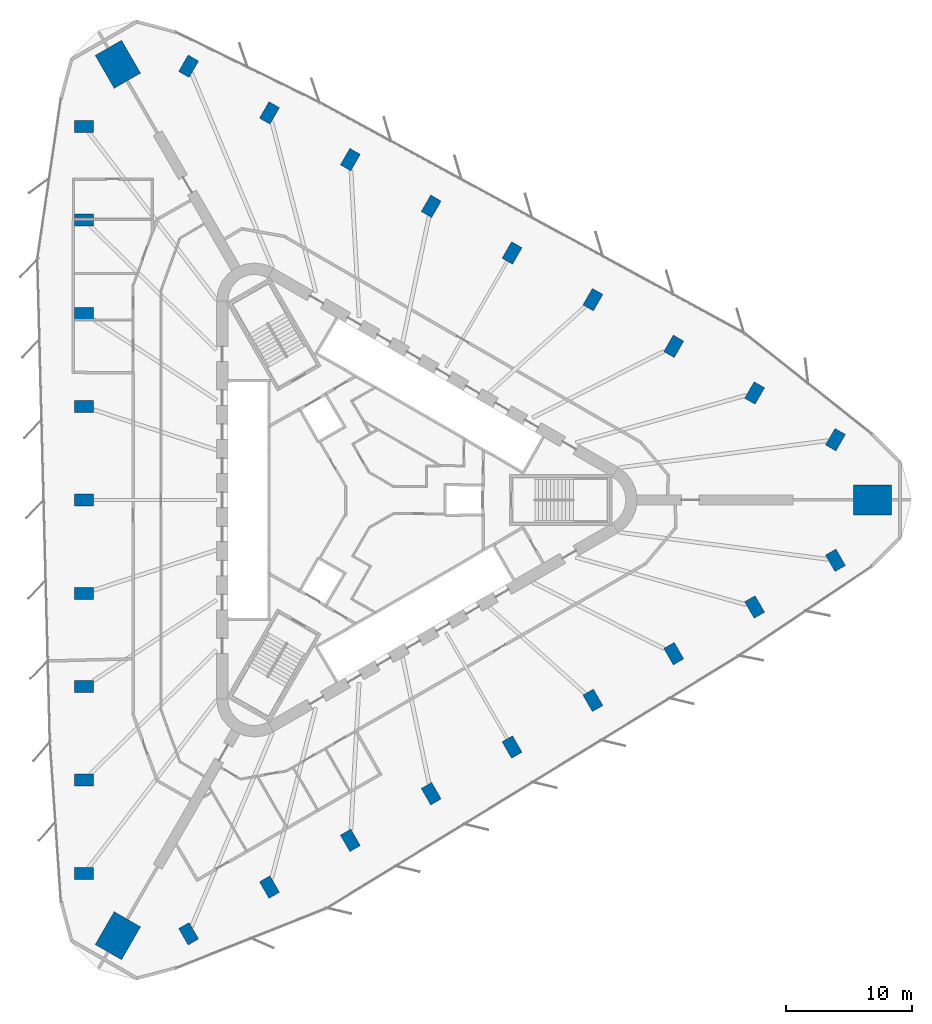
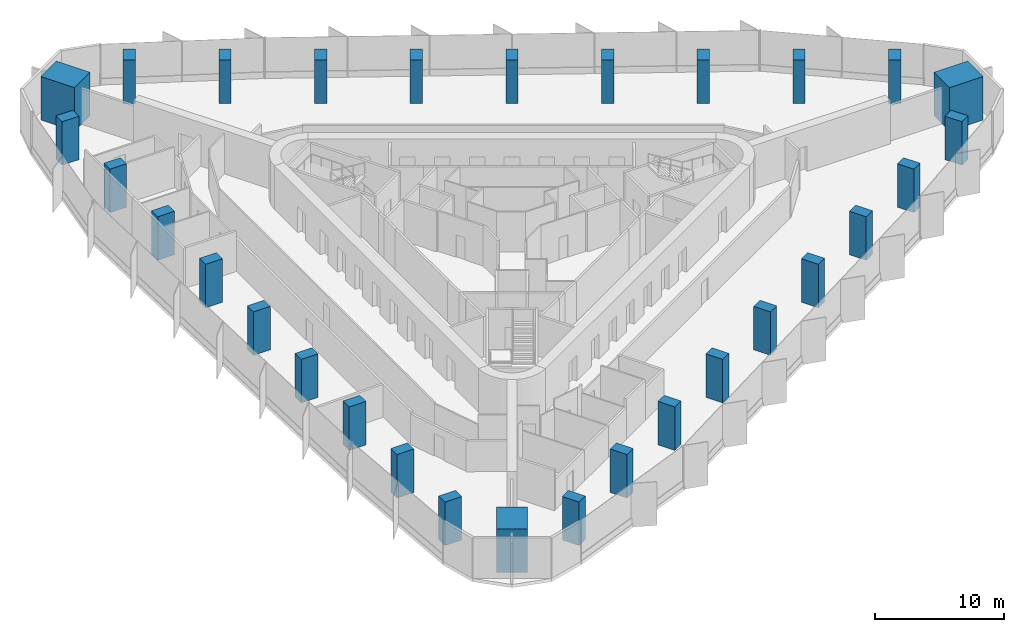
# One storey, part 1 of 14: 30 columns.
"""IFC4 building model written with IfcOpenShell, lengths in metres."""

from ifc_helpers import new_model, si_unit, direction, frame, origin, origin_2d, place, context, subcontext, project, spatial, rectangle, extrude, material, material_profile, profile_set, type_object, element, save


model = new_model("IFC4")

# Units and contexts
model_context = context("Model", 3, precision=1e-05, world=origin(), true_north=direction((0.0, 1.0)))
body_context = subcontext(model_context, "Body", "Model", "MODEL_VIEW")
ifc_project = project(units=[si_unit("LENGTHUNIT", "METRE"), si_unit("AREAUNIT", "SQUARE_METRE"), si_unit("VOLUMEUNIT", "CUBIC_METRE"), si_unit("PLANEANGLEUNIT", "RADIAN"), si_unit("MASSUNIT", "GRAM", prefix="KILO")], contexts=[model_context])

# Site, building, storey
site_placement = place(None, origin())
site = spatial("IfcSite", under=ifc_project, at=site_placement, CompositionType="ELEMENT")
building_placement = place(site_placement, origin())
building = spatial("IfcBuilding", under=site, at=building_placement, Name="Tanit Gate Tower", CompositionType="ELEMENT")
storey_placement = place(building_placement, frame((0.0, 0.0, 148.0)))
storey = spatial("IfcBuildingStorey", under=building, at=storey_placement, Name="L32", CompositionType="ELEMENT", Elevation=148.0)

# Columns
ifc_material_1 = material(Name="Concrete C70/85", Category="concrete")
ifc_material_profile_1 = material_profile(ifc_material_1, rectangle(XDim=3.0, YDim=2.39990234375, at=origin_2d()), Name="RC 3000x2400")
ifc_profile_set_1 = profile_set([ifc_material_profile_1], Name="Concrete C70/85")
column_type_1 = type_object("IfcColumnType", Name="MEGA COLUMN 3000x2400 C70/85", PredefinedType="COLUMN", material=ifc_profile_set_1)
for number, where, z_axis, x_axis, name in (
    (1, (39.830078125, 0.0, 0.0), (0.0, 0.0, 1.0), (1.0, 0.0, 0.0), "MEGA COLUMN"),
    (2, (-19.9150390625, 34.493896484375, 0.0), (0.0, 0.0, 1.0), (-0.5, 0.866025403784, 0.0), "MEGA COLUMN"),
    (3, (-19.9150390625, -34.493896484375, 0.0), (0.0, 0.0, 1.0), (-0.5, -0.866025403784, 0.0), "MEGA COLUMN"),
):
    element("IfcColumn", number, at=place(storey_placement, frame(where, z_axis=z_axis, x_axis=x_axis)), inside=storey, type_object=column_type_1, Name=name, PredefinedType="COLUMN", context=body_context, shape_type="SweptSolid", body=[
        extrude(rectangle(XDim=3.0, YDim=2.39990234375, at=origin_2d()), origin(), (0.0, 0.0, 1.0), 4.10009765625),
    ])
ifc_material_2 = material(Name="Concrete C60/75", Category="concrete")
ifc_material_profile_2 = material_profile(ifc_material_2, rectangle(XDim=1.5, YDim=0.949951171875, at=origin_2d()), Name="RC 1500x950")
ifc_profile_set_2 = profile_set([ifc_material_profile_2], Name="Concrete C60/75")
column_type_2 = type_object("IfcColumnType", Name="PERIMETER COLUMN 1500x950 C60/75", PredefinedType="COLUMN", material=ifc_profile_set_2)
for number, where, z_axis, x_axis, name in (
    (4, (-22.58251953125, 29.56591796875, 0.0), (0.0, 0.0, 1.0), (-1.0, 0.0, 0.0), "PERIMETER COLUMN"),
    (5, (-22.58251953125, 22.17431640625, 0.0), (0.0, 0.0, 1.0), (-1.0, 0.0, 0.0), "PERIMETER COLUMN"),
    (6, (-22.58251953125, 14.782958984375, 0.0), (0.0, 0.0, 1.0), (-1.0, 0.0, 0.0), "PERIMETER COLUMN"),
    (7, (-22.58251953125, 7.391357421875, 0.0), (0.0, 0.0, 1.0), (-1.0, 0.0, 0.0), "PERIMETER COLUMN"),
    (8, (-22.58251953125, 0.0, 0.0), (0.0, 0.0, 1.0), (-1.0, 0.0, 0.0), "PERIMETER COLUMN"),
    (9, (-22.58251953125, -7.391357421875, 0.0), (0.0, 0.0, 1.0), (-1.0, 0.0, 0.0), "PERIMETER COLUMN"),
    (10, (-22.58251953125, -14.782958984375, 0.0), (0.0, 0.0, 1.0), (-1.0, 0.0, 0.0), "PERIMETER COLUMN"),
    (11, (-22.58251953125, -22.17431640625, 0.0), (0.0, 0.0, 1.0), (-1.0, 0.0, 0.0), "PERIMETER COLUMN"),
    (12, (-22.58251953125, -29.56591796875, 0.0), (0.0, 0.0, 1.0), (-1.0, 0.0, 0.0), "PERIMETER COLUMN"),
    (13, (36.89599609375, 4.774169921875, 0.0), (0.0, 0.0, 1.0), (0.5, 0.866025403784, 0.0), "PERIMETER COLUMN"),
    (14, (30.494873046875, 8.4697265625, 0.0), (0.0, 0.0, 1.0), (0.5, 0.866025403784, 0.0), "PERIMETER COLUMN"),
    (15, (24.093505859375, 12.16552734375, 0.0), (0.0, 0.0, 1.0), (0.5, 0.866025403784, 0.0), "PERIMETER COLUMN"),
    (16, (17.6923828125, 15.861083984375, 0.0), (0.0, 0.0, 1.0), (0.5, 0.866025403784, 0.0), "PERIMETER COLUMN"),
    (17, (11.291259765625, 19.556884765625, 0.0), (0.0, 0.0, 1.0), (0.5, 0.866025403784, 0.0), "PERIMETER COLUMN"),
    (18, (4.889892578125, 23.252685546875, 0.0), (0.0, 0.0, 1.0), (0.5, 0.866025403784, 0.0), "PERIMETER COLUMN"),
    (19, (-1.510986328125, 26.948486328125, 0.0), (0.0, 0.0, 1.0), (0.5, 0.866025403784, 0.0), "PERIMETER COLUMN"),
    (20, (-7.912353515625, 30.64404296875, 0.0), (0.0, 0.0, 1.0), (0.5, 0.866025403784, 0.0), "PERIMETER COLUMN"),
    (21, (-14.3134765625, 34.33984375, 0.0), (0.0, 0.0, 1.0), (0.5, 0.866025403784, 0.0), "PERIMETER COLUMN"),
    (22, (-14.3134765625, -34.33984375, 0.0), (0.0, 0.0, 1.0), (0.5, -0.866025403784, 0.0), "PERIMETER COLUMN"),
    (23, (-7.912353515625, -30.64404296875, 0.0), (0.0, 0.0, 1.0), (0.5, -0.866025403784, 0.0), "PERIMETER COLUMN"),
    (24, (-1.510986328125, -26.948486328125, 0.0), (0.0, 0.0, 1.0), (0.5, -0.866025403784, 0.0), "PERIMETER COLUMN"),
    (25, (4.889892578125, -23.252685546875, 0.0), (0.0, 0.0, 1.0), (0.5, -0.866025403784, 0.0), "PERIMETER COLUMN"),
    (26, (11.291259765625, -19.556884765625, 0.0), (0.0, 0.0, 1.0), (0.5, -0.866025403784, 0.0), "PERIMETER COLUMN"),
    (27, (17.6923828125, -15.861083984375, 0.0), (0.0, 0.0, 1.0), (0.5, -0.866025403784, 0.0), "PERIMETER COLUMN"),
    (28, (24.093505859375, -12.16552734375, 0.0), (0.0, 0.0, 1.0), (0.5, -0.866025403784, 0.0), "PERIMETER COLUMN"),
    (29, (30.494873046875, -8.4697265625, 0.0), (0.0, 0.0, 1.0), (0.5, -0.866025403784, 0.0), "PERIMETER COLUMN"),
    (30, (36.89599609375, -4.774169921875, 0.0), (0.0, 0.0, 1.0), (0.5, -0.866025403784, 0.0), "PERIMETER COLUMN"),
):
    element("IfcColumn", number, at=place(storey_placement, frame(where, z_axis=z_axis, x_axis=x_axis)), inside=storey, type_object=column_type_2, Name=name, PredefinedType="COLUMN", context=body_context, shape_type="SweptSolid", body=[
        extrude(rectangle(XDim=1.5, YDim=0.949951171875, at=origin_2d()), origin(), (0.0, 0.0, 1.0), 4.10009765625),
    ])

save(model, "model.ifc")
